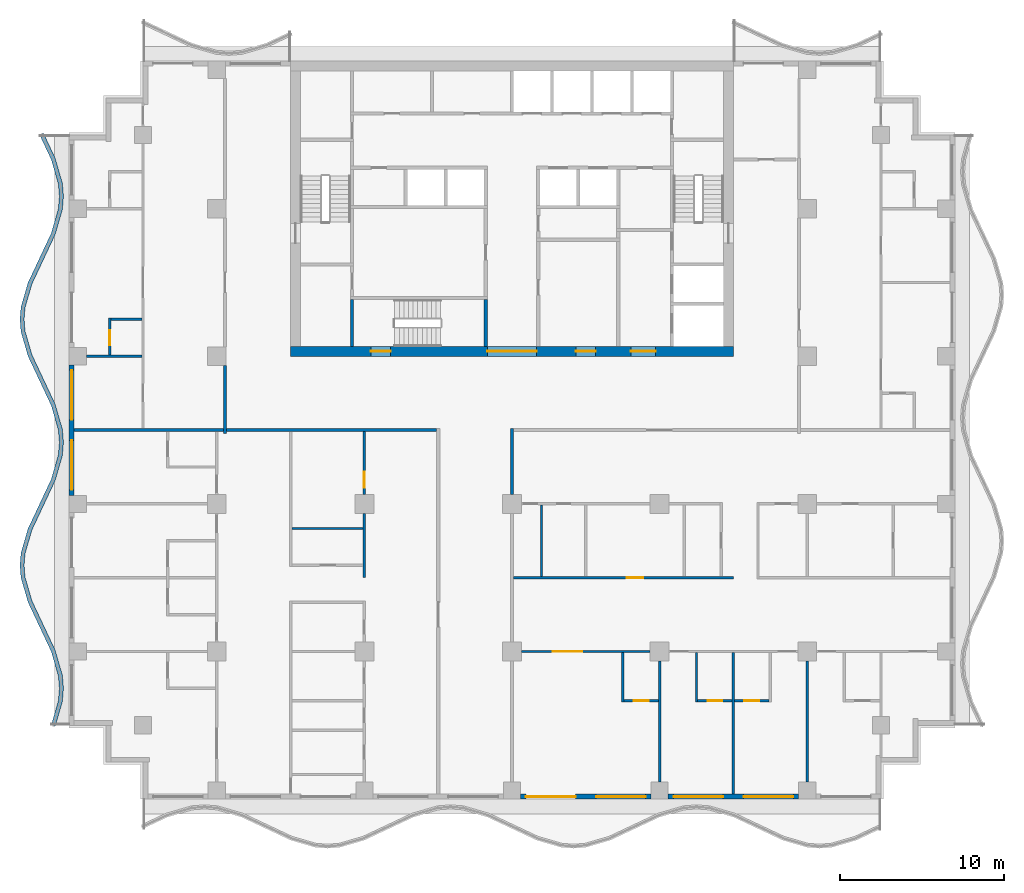
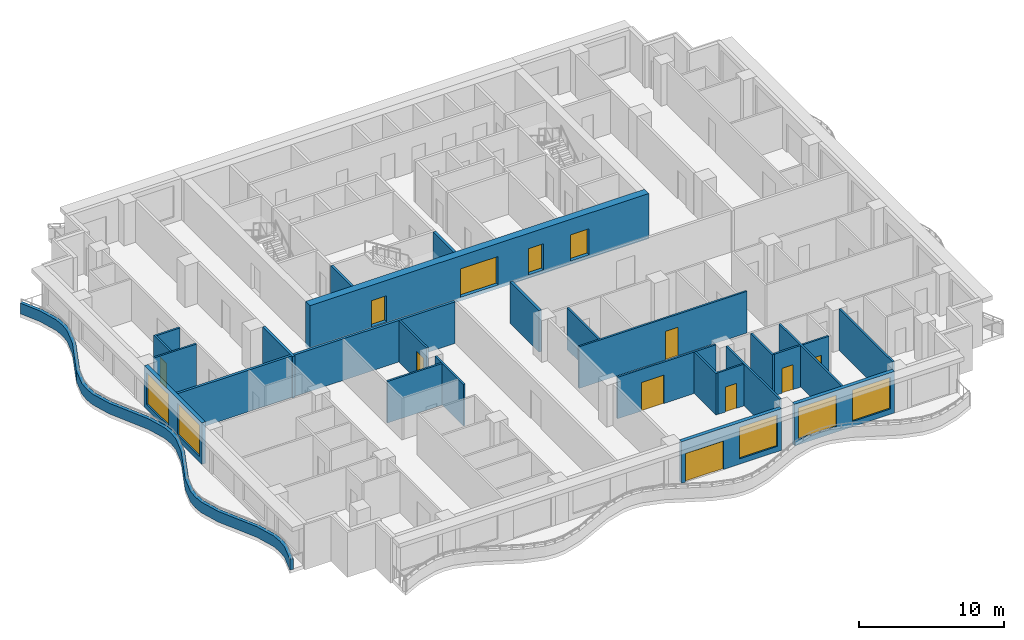
# One storey, part 3 of 11: 28 walls, 12 doors, 5 windows, 17 openings.
"""IFC4 building model written with IfcOpenShell, lengths in metres."""

from ifc_helpers import new_model, si_unit, direction, frame, frame_2d, origin, place, context, subcontext, project, spatial, polyline, rectangle, outline, extrude, material, layer, layer_set, type_object, element, fill, save


model = new_model("IFC4")

# Units and contexts
model_context = context("Model", 3, precision=1e-05, world=origin(), true_north=direction((0.0, 1.0)))
body_context = subcontext(model_context, "Body", "Model", "MODEL_VIEW")
ifc_project = project(units=[si_unit("LENGTHUNIT", "METRE"), si_unit("AREAUNIT", "SQUARE_METRE"), si_unit("VOLUMEUNIT", "CUBIC_METRE"), si_unit("PLANEANGLEUNIT", "RADIAN"), si_unit("MASSUNIT", "GRAM", prefix="KILO")], contexts=[model_context])

# Site, building, storey
site_placement = place(None, origin())
site = spatial("IfcSite", under=ifc_project, at=site_placement, CompositionType="ELEMENT")
building_placement = place(site_placement, origin())
building = spatial("IfcBuilding", under=site, at=building_placement, Name="Orbiselva Terraces", CompositionType="ELEMENT")
storey_placement = place(building_placement, frame((0.0, 0.0, 195.8)))
storey = spatial("IfcBuildingStorey", under=building, at=storey_placement, Name="L49", CompositionType="ELEMENT", Elevation=195.8)

# Wall, openings, doors
ifc_material_1 = material(Name="Concrete C80/95", Category="concrete")
ifc_layer_1 = layer(ifc_material_1, 0.6)
ifc_layer_set_1 = layer_set([ifc_layer_1], Name="Concrete C80/95")
wall_type_1 = type_object("IfcWallType", Name="CORE WALL 600", PredefinedType="SHEAR", material=ifc_layer_set_1)
wall_1_placement = place(storey_placement, frame((-13.5, 4.8, -0.3), z_axis=(0.0, 0.0, 1.0), x_axis=(1.0, 0.0, 0.0)))
wall_1 = element("IfcWall", 1, at=wall_1_placement, inside=storey, type_object=wall_type_1, Name="Core wall L49 south", PredefinedType="SHEAR", context=body_context, shape_type="SweptSolid", body=[
    extrude(rectangle(XDim=27.0, YDim=0.6, at=frame_2d((13.5, 0.0))), origin(), (0.0, 0.0, 1.0), 3.8),
])
opening_1_placement = place(wall_1_placement, frame((12.0, 0.0, 0.3)))
opening_1 = element("IfcOpeningElement", 2, at=opening_1_placement, cuts=wall_1, Name="Opening DL3000", PredefinedType="OPENING", context=body_context, shape_type="SweptSolid", body=[
    extrude(rectangle(XDim=3.0, YDim=2.4, at=frame_2d((1.5, 1.2))), frame((0.0, 0.31, 0.0), z_axis=(0.0, -1.0, 0.0), x_axis=(1.0, 0.0, 0.0)), (0.0, 0.0, 1.0), 0.62),
])
opening_2_placement = place(wall_1_placement, frame((4.9, 0.0, 0.3)))
opening_2 = element("IfcOpeningElement", 3, at=opening_2_placement, cuts=wall_1, Name="Opening DS1200", PredefinedType="OPENING", context=body_context, shape_type="SweptSolid", body=[
    extrude(rectangle(XDim=1.2, YDim=2.2, at=frame_2d((0.6, 1.1))), frame((0.0, 0.31, 0.0), z_axis=(0.0, -1.0, 0.0), x_axis=(1.0, 0.0, 0.0)), (0.0, 0.0, 1.0), 0.62),
])
opening_3_placement = place(wall_1_placement, frame((20.75, 0.0, 0.3)))
opening_3 = element("IfcOpeningElement", 4, at=opening_3_placement, cuts=wall_1, Name="Opening DF1500", PredefinedType="OPENING", context=body_context, shape_type="SweptSolid", body=[
    extrude(rectangle(XDim=1.5, YDim=2.2, at=frame_2d((0.75, 1.1))), frame((0.0, 0.31, 0.0), z_axis=(0.0, -1.0, 0.0), x_axis=(1.0, 0.0, 0.0)), (0.0, 0.0, 1.0), 0.62),
])
opening_4_placement = place(wall_1_placement, frame((17.4, 0.0, 0.3)))
opening_4 = element("IfcOpeningElement", 5, at=opening_4_placement, cuts=wall_1, Name="Opening DV1200", PredefinedType="OPENING", context=body_context, shape_type="SweptSolid", body=[
    extrude(rectangle(XDim=1.2, YDim=2.2, at=frame_2d((0.6, 1.1))), frame((0.0, 0.31, 0.0), z_axis=(0.0, -1.0, 0.0), x_axis=(1.0, 0.0, 0.0)), (0.0, 0.0, 1.0), 0.62),
])
ifc_material_2 = material(Name="Steel fire door", Category="steel")
door_type_1 = type_object("IfcDoorType", Name="FFL DOOR 1500", OperationType="DOUBLE_DOOR_SINGLE_SWING", PredefinedType="DOOR", material=ifc_material_2)
door_1_placement = place(opening_3_placement, frame((1.5, 0.0, 0.0), z_axis=(0.0, 0.0, 1.0), x_axis=(-1.0, 0.0, 0.0)))
door_1 = element("IfcDoor", 6, at=door_1_placement, inside=storey, type_object=door_type_1, Name="L49 FIRE-FIGHTING LOBBY door", OperationType="DOUBLE_DOOR_SINGLE_SWING", OverallHeight=2.2, OverallWidth=1.5, PredefinedType="DOOR", context=body_context, shape_type="SweptSolid", body=[
    extrude(rectangle(XDim=1.5, YDim=2.2, at=frame_2d((0.75, 1.1))), frame((0.0, 0.025, 0.0), z_axis=(0.0, -1.0, 0.0), x_axis=(1.0, 0.0, 0.0)), (0.0, 0.0, 1.0), 0.05),
])
fill(opening_3, door_1)
door_type_2 = type_object("IfcDoorType", Name="LOBBY DOOR 3000", OperationType="DOUBLE_DOOR_SINGLE_SWING", PredefinedType="DOOR", material=ifc_material_2)
door_2_placement = place(opening_1_placement, frame((3.0, 0.0, 0.0), z_axis=(0.0, 0.0, 1.0), x_axis=(-1.0, 0.0, 0.0)))
door_2 = element("IfcDoor", 7, at=door_2_placement, inside=storey, type_object=door_type_2, Name="L49 LIFT LOBBY door", OperationType="DOUBLE_DOOR_SINGLE_SWING", OverallHeight=2.4, OverallWidth=3.0, PredefinedType="DOOR", context=body_context, shape_type="SweptSolid", body=[
    extrude(rectangle(XDim=3.0, YDim=2.4, at=frame_2d((1.5, 1.2))), frame((0.0, 0.025, 0.0), z_axis=(0.0, -1.0, 0.0), x_axis=(1.0, 0.0, 0.0)), (0.0, 0.0, 1.0), 0.05),
])
fill(opening_1, door_2)
door_type_3 = type_object("IfcDoorType", Name="SERVICE DOOR 1200", OperationType="NOTDEFINED", PredefinedType="DOOR", material=ifc_material_2)
door_3_placement = place(opening_4_placement, frame((1.2, 0.0, 0.0), z_axis=(0.0, 0.0, 1.0), x_axis=(-1.0, 0.0, 0.0)))
door_3 = element("IfcDoor", 8, at=door_3_placement, inside=storey, type_object=door_type_3, Name="L49 SERVICE ROOM door", OperationType="SINGLE_SWING_RIGHT", OverallHeight=2.2, OverallWidth=1.2, PredefinedType="DOOR", context=body_context, shape_type="SweptSolid", body=[
    extrude(rectangle(XDim=1.2, YDim=2.2, at=frame_2d((0.6, 1.1))), frame((0.0, 0.025, 0.0), z_axis=(0.0, -1.0, 0.0), x_axis=(1.0, 0.0, 0.0)), (0.0, 0.0, 1.0), 0.05),
])
fill(opening_4, door_3)
door_type_4 = type_object("IfcDoorType", Name="STAIR DOOR 1200", OperationType="NOTDEFINED", PredefinedType="DOOR", material=ifc_material_2)
door_4_placement = place(opening_2_placement, frame((1.2, 0.0, 0.0), z_axis=(0.0, 0.0, 1.0), x_axis=(-1.0, 0.0, 0.0)))
door_4 = element("IfcDoor", 9, at=door_4_placement, inside=storey, type_object=door_type_4, Name="L49 EXIT STAIR S3 door", OperationType="SINGLE_SWING_LEFT", OverallHeight=2.2, OverallWidth=1.2, PredefinedType="DOOR", context=body_context, shape_type="SweptSolid", body=[
    extrude(rectangle(XDim=1.2, YDim=2.2, at=frame_2d((0.6, 1.1))), frame((0.0, 0.025, 0.0), z_axis=(0.0, -1.0, 0.0), x_axis=(1.0, 0.0, 0.0)), (0.0, 0.0, 1.0), 0.05),
])
fill(opening_2, door_4)

# Walls
ifc_material_3 = material(Name="Concrete C60/75", Category="concrete")
ifc_layer_2 = layer(ifc_material_3, 0.2)
ifc_layer_set_2 = layer_set([ifc_layer_2], Name="Concrete C60/75")
wall_type_2 = type_object("IfcWallType", Name="CORE-WALL-SHEAR-200", PredefinedType="SHEAR", material=ifc_layer_set_2)
for number, where, z_axis, x_axis, name in (
    (10, (-9.75, 5.1, 0.0), (0.0, 0.0, 1.0), (0.0, 1.0, 0.0), "L49 core wall 03"),
    (11, (-1.6, 5.1, 0.0), (0.0, 0.0, 1.0), (0.0, 1.0, 0.0), "L49 core wall 17"),
):
    element("IfcWall", number, at=place(storey_placement, frame(where, z_axis=z_axis, x_axis=x_axis)), inside=storey, type_object=wall_type_2, Name=name, PredefinedType="SHEAR", context=body_context, shape_type="SweptSolid", body=[
        extrude(rectangle(XDim=2.85, YDim=0.2, at=frame_2d((1.425, 0.0))), origin(), (0.0, 0.0, 1.0), 3.5),
    ])
ifc_material_4 = material(Name="Concrete C40/50", Category="concrete")
ifc_layer_3 = layer(ifc_material_4, 0.25)
ifc_layer_set_3 = layer_set([ifc_layer_3], Name="Concrete C40/50")
wall_type_3 = type_object("IfcWallType", Name="ENV-PLANTER-250x900", PredefinedType="USERDEFINED", material=ifc_layer_set_3)
wall_2_placement = place(storey_placement, origin())
element("IfcWall", 12, at=wall_2_placement, inside=storey, type_object=wall_type_3, Name="Balcony planter L49 W", ObjectType="PLANTER", PredefinedType="USERDEFINED", context=body_context, shape_type="SweptSolid", body=[
    extrude(outline(polyline([(-28.8, 18.0), (-28.094658, 16.5), (-27.658732, 15.0), (-27.6, 14.25), (-27.658732, 13.5), (-28.094658, 12.0), (-28.8, 10.5), (-29.505342, 9.0), (-29.941268, 7.5), (-30.0, 6.75), (-29.941268, 6.0), (-29.505342, 4.5), (-28.8, 3.0), (-28.094658, 1.5), (-27.658732, 0.0), (-27.6, -0.75), (-27.658732, -1.5), (-28.094658, -3.0), (-28.8, -4.5), (-29.505342, -6.0), (-29.941268, -7.5), (-30.0, -8.25), (-29.941268, -9.0), (-29.505342, -10.5), (-28.8, -12.0), (-28.094658, -13.5), (-27.658732, -15.0), (-27.6, -15.75), (-27.658732, -16.5), (-28.094658, -18.0), (-27.85459, -18.069768), (-27.411499, -16.545114), (-27.349235, -15.75), (-27.411499, -14.954886), (-27.860069, -13.411382), (-28.573764, -11.893617), (-29.270753, -10.411382), (-29.694035, -8.954886), (-29.749235, -8.25), (-29.694035, -7.545114), (-29.270753, -6.088618), (-28.573764, -4.606383), (-27.860069, -3.088618), (-27.411499, -1.545114), (-27.349235, -0.75), (-27.411499, 0.045114), (-27.860069, 1.588618), (-28.573764, 3.106383), (-29.270753, 4.588618), (-29.694035, 6.045114), (-29.749235, 6.75), (-29.694035, 7.454886), (-29.270753, 8.911382), (-28.573764, 10.393617), (-27.860069, 11.911382), (-27.411499, 13.454886), (-27.349235, 14.25), (-27.411499, 15.045114), (-27.860069, 16.588618), (-28.573764, 18.106383), (-28.8, 18.0)])), origin(), (0.0, 0.0, 1.0), 0.9),
])

# Wall, openings, door, window
ifc_material_5 = material(Name="Terracotta cladding on masonry backing", Category="masonry")
ifc_layer_4 = layer(ifc_material_5, 0.3)
ifc_layer_set_4 = layer_set([ifc_layer_4], Name="Terracotta cladding on masonry backing")
wall_type_4 = type_object("IfcWallType", Name="ENV-WALL-TERRACOTTA-300", PredefinedType="SOLIDWALL", material=ifc_layer_set_4)
wall_3_placement = place(storey_placement, frame((8.475, -22.35, 0.0), z_axis=(0.0, 0.0, 1.0), x_axis=(-1.0, 0.0, 0.0)))
wall_3 = element("IfcWall", 13, at=wall_3_placement, inside=storey, type_object=wall_type_4, Name="Facade wall L49 S", PredefinedType="SOLIDWALL", context=body_context, shape_type="SweptSolid", body=[
    extrude(rectangle(XDim=7.95, YDim=0.3, at=frame_2d((3.975, 0.0))), origin(), (0.0, 0.0, 1.0), 3.5),
])
opening_5_placement = place(wall_3_placement, frame((4.6, 0.0, 0.0)))
opening_5 = element("IfcOpeningElement", 14, at=opening_5_placement, cuts=wall_3, Name="Opening Z4-B-E02", PredefinedType="OPENING", context=body_context, shape_type="SweptSolid", body=[
    extrude(rectangle(XDim=3.025, YDim=2.4, at=frame_2d((1.5125, 1.2))), frame((0.0, 0.16, 0.0), z_axis=(0.0, -1.0, 0.0), x_axis=(1.0, 0.0, 0.0)), (0.0, 0.0, 1.0), 0.32),
])
opening_6_placement = place(wall_3_placement, frame((0.325, 0.0, 0.45)))
opening_6 = element("IfcOpeningElement", 15, at=opening_6_placement, cuts=wall_3, Name="Opening WN14", PredefinedType="OPENING", context=body_context, shape_type="SweptSolid", body=[
    extrude(rectangle(XDim=3.025, YDim=2.65, at=frame_2d((1.5125, 1.325))), frame((0.0, 0.16, 0.0), z_axis=(0.0, -1.0, 0.0), x_axis=(1.0, 0.0, 0.0)), (0.0, 0.0, 1.0), 0.32),
])
ifc_material_6 = material(Name="Clear low-e glazing in aluminium frame", Category="aluminium")
door_type_5 = type_object("IfcDoorType", Name="BALCONY DOOR 3025 X 2400", OperationType="DOUBLE_DOOR_SLIDING", PredefinedType="DOOR", material=ifc_material_6)
door_5_placement = place(opening_5_placement, origin())
door_5 = element("IfcDoor", 16, at=door_5_placement, inside=storey, type_object=door_type_5, Name="Z4-B-E02", OperationType="SINGLE_SWING_LEFT", OverallHeight=2.4, OverallWidth=3.025, PredefinedType="DOOR", context=body_context, shape_type="SweptSolid", body=[
    extrude(rectangle(XDim=3.025, YDim=2.4, at=frame_2d((1.5125, 1.2))), frame((0.0, 0.025, 0.0), z_axis=(0.0, -1.0, 0.0), x_axis=(1.0, 0.0, 0.0)), (0.0, 0.0, 1.0), 0.05),
])
fill(opening_5, door_5)
window_type = type_object("IfcWindowType", Name="WINDOW 3025 X 2650 S450", PartitioningType="TRIPLE_PANEL_VERTICAL", PredefinedType="WINDOW", material=ifc_material_6)
window_1_placement = place(opening_6_placement, origin())
window_1 = element("IfcWindow", 17, at=window_1_placement, inside=storey, type_object=window_type, Name="Window L49 S", OverallHeight=2.65, OverallWidth=3.025, PartitioningType="SINGLE_PANEL", PredefinedType="WINDOW", context=body_context, shape_type="SweptSolid", body=[
    extrude(rectangle(XDim=3.025, YDim=2.65, at=frame_2d((1.5125, 1.325))), frame((0.0, 0.03, 0.0), z_axis=(0.0, -1.0, 0.0), x_axis=(1.0, 0.0, 0.0)), (0.0, 0.0, 1.0), 0.06),
])
fill(opening_6, window_1)

# Wall, openings, windows
wall_4_placement = place(storey_placement, frame((17.475, -22.35, 0.0), z_axis=(0.0, 0.0, 1.0), x_axis=(-1.0, 0.0, 0.0)))
wall_4 = element("IfcWall", 18, at=wall_4_placement, inside=storey, type_object=wall_type_4, Name="Facade wall L49 S", PredefinedType="SOLIDWALL", context=body_context, shape_type="SweptSolid", body=[
    extrude(rectangle(XDim=7.95, YDim=0.3, at=frame_2d((3.975, 0.0))), origin(), (0.0, 0.0, 1.0), 3.5),
])
opening_7_placement = place(wall_4_placement, frame((4.6, 0.0, 0.45)))
opening_7 = element("IfcOpeningElement", 19, at=opening_7_placement, cuts=wall_4, Name="Opening WN14", PredefinedType="OPENING", context=body_context, shape_type="SweptSolid", body=[
    extrude(rectangle(XDim=3.025, YDim=2.65, at=frame_2d((1.5125, 1.325))), frame((0.0, 0.16, 0.0), z_axis=(0.0, -1.0, 0.0), x_axis=(1.0, 0.0, 0.0)), (0.0, 0.0, 1.0), 0.32),
])
opening_8_placement = place(wall_4_placement, frame((0.325, 0.0, 0.45)))
opening_8 = element("IfcOpeningElement", 20, at=opening_8_placement, cuts=wall_4, Name="Opening WN14", PredefinedType="OPENING", context=body_context, shape_type="SweptSolid", body=[
    extrude(rectangle(XDim=3.025, YDim=2.65, at=frame_2d((1.5125, 1.325))), frame((0.0, 0.16, 0.0), z_axis=(0.0, -1.0, 0.0), x_axis=(1.0, 0.0, 0.0)), (0.0, 0.0, 1.0), 0.32),
])
window_2_placement = place(opening_7_placement, origin())
window_2 = element("IfcWindow", 21, at=window_2_placement, inside=storey, type_object=window_type, Name="Window L49 S", OverallHeight=2.65, OverallWidth=3.025, PartitioningType="SINGLE_PANEL", PredefinedType="WINDOW", context=body_context, shape_type="SweptSolid", body=[
    extrude(rectangle(XDim=3.025, YDim=2.65, at=frame_2d((1.5125, 1.325))), frame((0.0, 0.03, 0.0), z_axis=(0.0, -1.0, 0.0), x_axis=(1.0, 0.0, 0.0)), (0.0, 0.0, 1.0), 0.06),
])
fill(opening_7, window_2)
window_3_placement = place(opening_8_placement, origin())
window_3 = element("IfcWindow", 22, at=window_3_placement, inside=storey, type_object=window_type, Name="Window L49 S", OverallHeight=2.65, OverallWidth=3.025, PartitioningType="SINGLE_PANEL", PredefinedType="WINDOW", context=body_context, shape_type="SweptSolid", body=[
    extrude(rectangle(XDim=3.025, YDim=2.65, at=frame_2d((1.5125, 1.325))), frame((0.0, 0.03, 0.0), z_axis=(0.0, -1.0, 0.0), x_axis=(1.0, 0.0, 0.0)), (0.0, 0.0, 1.0), 0.06),
])
fill(opening_8, window_3)

wall_5_placement = place(storey_placement, frame((-26.85, -3.975, 0.0), z_axis=(0.0, 0.0, 1.0), x_axis=(0.0, 1.0, 0.0)))
wall_5 = element("IfcWall", 23, at=wall_5_placement, inside=storey, type_object=wall_type_4, Name="Facade wall L49 W", PredefinedType="SOLIDWALL", context=body_context, shape_type="SweptSolid", body=[
    extrude(rectangle(XDim=7.95, YDim=0.3, at=frame_2d((3.975, 0.0))), origin(), (0.0, 0.0, 1.0), 3.5),
])
opening_9_placement = place(wall_5_placement, frame((4.6, 0.0, 0.45)))
opening_9 = element("IfcOpeningElement", 24, at=opening_9_placement, cuts=wall_5, Name="Opening WN14", PredefinedType="OPENING", context=body_context, shape_type="SweptSolid", body=[
    extrude(rectangle(XDim=3.025, YDim=2.65, at=frame_2d((1.5125, 1.325))), frame((0.0, 0.16, 0.0), z_axis=(0.0, -1.0, 0.0), x_axis=(1.0, 0.0, 0.0)), (0.0, 0.0, 1.0), 0.32),
])
opening_10_placement = place(wall_5_placement, frame((0.325, 0.0, 0.45)))
opening_10 = element("IfcOpeningElement", 25, at=opening_10_placement, cuts=wall_5, Name="Opening WN14", PredefinedType="OPENING", context=body_context, shape_type="SweptSolid", body=[
    extrude(rectangle(XDim=3.025, YDim=2.65, at=frame_2d((1.5125, 1.325))), frame((0.0, 0.16, 0.0), z_axis=(0.0, -1.0, 0.0), x_axis=(1.0, 0.0, 0.0)), (0.0, 0.0, 1.0), 0.32),
])
window_4_placement = place(opening_9_placement, origin())
window_4 = element("IfcWindow", 26, at=window_4_placement, inside=storey, type_object=window_type, Name="Window L49 W", OverallHeight=2.65, OverallWidth=3.025, PartitioningType="SINGLE_PANEL", PredefinedType="WINDOW", context=body_context, shape_type="SweptSolid", body=[
    extrude(rectangle(XDim=3.025, YDim=2.65, at=frame_2d((1.5125, 1.325))), frame((0.0, 0.03, 0.0), z_axis=(0.0, -1.0, 0.0), x_axis=(1.0, 0.0, 0.0)), (0.0, 0.0, 1.0), 0.06),
])
fill(opening_9, window_4)
window_5_placement = place(opening_10_placement, origin())
window_5 = element("IfcWindow", 27, at=window_5_placement, inside=storey, type_object=window_type, Name="Window L49 W", OverallHeight=2.65, OverallWidth=3.025, PartitioningType="SINGLE_PANEL", PredefinedType="WINDOW", context=body_context, shape_type="SweptSolid", body=[
    extrude(rectangle(XDim=3.025, YDim=2.65, at=frame_2d((1.5125, 1.325))), frame((0.0, 0.03, 0.0), z_axis=(0.0, -1.0, 0.0), x_axis=(1.0, 0.0, 0.0)), (0.0, 0.0, 1.0), 0.06),
])
fill(opening_10, window_5)

# Walls
ifc_material_7 = material(Name="Plasterboard on steel stud partition", Category="steel")
ifc_layer_5 = layer(ifc_material_7, 0.2)
ifc_layer_set_5 = layer_set([ifc_layer_5], Name="Plasterboard on steel stud partition")
wall_type_5 = type_object("IfcWallType", Name="UNIT-ENTRANCE-WALL-200", PredefinedType="PARTITIONING", material=ifc_layer_set_5)
wall_6_placement = place(storey_placement, frame((-17.4, 0.0, 0.0), z_axis=(0.0, 0.0, 1.0), x_axis=(1.0, 0.0, 0.0)))
element("IfcWall", 28, at=wall_6_placement, inside=storey, type_object=wall_type_5, Name="PARTITION L49-029", PredefinedType="PARTITIONING", context=body_context, shape_type="SweptSolid", body=[
    extrude(rectangle(XDim=12.8, YDim=0.2, at=frame_2d((6.4, 0.0))), origin(), (0.0, 0.0, 1.0), 3.5),
])
wall_7_placement = place(storey_placement, frame((-17.5, -0.2, 0.0), z_axis=(0.0, 0.0, 1.0), x_axis=(0.0, 1.0, 0.0)))
element("IfcWall", 29, at=wall_7_placement, inside=storey, type_object=wall_type_5, Name="PARTITION L49-052", PredefinedType="PARTITIONING", context=body_context, shape_type="SweptSolid", body=[
    extrude(rectangle(XDim=4.125, YDim=0.2, at=frame_2d((2.0625, 0.0))), origin(), (0.0, 0.0, 1.0), 3.5),
])
wall_8_placement = place(storey_placement, frame((0.0, -3.925, 0.0), z_axis=(0.0, 0.0, 1.0), x_axis=(0.0, 1.0, 0.0)))
element("IfcWall", 30, at=wall_8_placement, inside=storey, type_object=wall_type_5, Name="PARTITION L49-064", PredefinedType="PARTITIONING", context=body_context, shape_type="SweptSolid", body=[
    extrude(rectangle(XDim=4.025, YDim=0.2, at=frame_2d((2.0125, 0.0))), origin(), (0.0, 0.0, 1.0), 3.5),
])

# Wall, opening, door
ifc_layer_6 = layer(ifc_material_7, 0.15)
ifc_layer_set_6 = layer_set([ifc_layer_6], Name="Plasterboard on steel stud partition")
wall_type_6 = type_object("IfcWallType", Name="UNIT-PARTITION-150", PredefinedType="PARTITIONING", material=ifc_layer_set_6)
wall_9_placement = place(storey_placement, frame((6.825, -16.5, 0.0), z_axis=(0.0, 0.0, 1.0), x_axis=(1.0, 0.0, 0.0)))
wall_9 = element("IfcWall", 31, at=wall_9_placement, inside=storey, type_object=wall_type_6, Name="PARTITION L49-004", PredefinedType="PARTITIONING", context=body_context, shape_type="SweptSolid", body=[
    extrude(rectangle(XDim=2.1, YDim=0.15, at=frame_2d((1.05, 0.0))), origin(), (0.0, 0.0, 1.0), 3.5),
])
opening_11_placement = place(wall_9_placement, frame((0.6, 0.0, 0.0)))
opening_11 = element("IfcOpeningElement", 32, at=opening_11_placement, cuts=wall_9, Name="Opening Z4-B-39", PredefinedType="OPENING", context=body_context, shape_type="SweptSolid", body=[
    extrude(rectangle(XDim=0.9, YDim=2.1, at=frame_2d((0.45, 1.05))), frame((0.0, 0.085, 0.0), z_axis=(0.0, -1.0, 0.0), x_axis=(1.0, 0.0, 0.0)), (0.0, 0.0, 1.0), 0.17),
])
ifc_material_8 = material(Name="Painted timber door leaf", Category="wood")
door_type_6 = type_object("IfcDoorType", Name="BATH DOOR 900", OperationType="NOTDEFINED", PredefinedType="DOOR", material=ifc_material_8)
door_6_placement = place(opening_11_placement, origin())
door_6 = element("IfcDoor", 33, at=door_6_placement, inside=storey, type_object=door_type_6, Name="Z4-B-39", OperationType="SINGLE_SWING_LEFT", OverallHeight=2.1, OverallWidth=0.9, PredefinedType="DOOR", context=body_context, shape_type="SweptSolid", body=[
    extrude(rectangle(XDim=0.9, YDim=2.1, at=frame_2d((0.45, 1.05))), frame((0.0, 0.025, 0.0), z_axis=(0.0, -1.0, 0.0), x_axis=(1.0, 0.0, 0.0)), (0.0, 0.0, 1.0), 0.05),
])
fill(opening_11, door_6)

wall_10_placement = place(storey_placement, frame((11.325, -16.5, 0.0), z_axis=(0.0, 0.0, 1.0), x_axis=(1.0, 0.0, 0.0)))
wall_10 = element("IfcWall", 34, at=wall_10_placement, inside=storey, type_object=wall_type_6, Name="PARTITION L49-005", PredefinedType="PARTITIONING", context=body_context, shape_type="SweptSolid", body=[
    extrude(rectangle(XDim=2.1, YDim=0.15, at=frame_2d((1.05, 0.0))), origin(), (0.0, 0.0, 1.0), 3.5),
])
opening_12_placement = place(wall_10_placement, frame((0.6, 0.0, 0.0)))
opening_12 = element("IfcOpeningElement", 35, at=opening_12_placement, cuts=wall_10, Name="Opening Z4-B-41", PredefinedType="OPENING", context=body_context, shape_type="SweptSolid", body=[
    extrude(rectangle(XDim=0.9, YDim=2.1, at=frame_2d((0.45, 1.05))), frame((0.0, 0.085, 0.0), z_axis=(0.0, -1.0, 0.0), x_axis=(1.0, 0.0, 0.0)), (0.0, 0.0, 1.0), 0.17),
])
door_7_placement = place(opening_12_placement, origin())
door_7 = element("IfcDoor", 36, at=door_7_placement, inside=storey, type_object=door_type_6, Name="Z4-B-41", OperationType="SINGLE_SWING_LEFT", OverallHeight=2.1, OverallWidth=0.9, PredefinedType="DOOR", context=body_context, shape_type="SweptSolid", body=[
    extrude(rectangle(XDim=0.9, YDim=2.1, at=frame_2d((0.45, 1.05))), frame((0.0, 0.025, 0.0), z_axis=(0.0, -1.0, 0.0), x_axis=(1.0, 0.0, 0.0)), (0.0, 0.0, 1.0), 0.05),
])
fill(opening_12, door_7)

wall_11_placement = place(storey_placement, frame((13.575, -16.5, 0.0), z_axis=(0.0, 0.0, 1.0), x_axis=(1.0, 0.0, 0.0)))
wall_11 = element("IfcWall", 37, at=wall_11_placement, inside=storey, type_object=wall_type_6, Name="PARTITION L49-006", PredefinedType="PARTITIONING", context=body_context, shape_type="SweptSolid", body=[
    extrude(rectangle(XDim=2.1, YDim=0.15, at=frame_2d((1.05, 0.0))), origin(), (0.0, 0.0, 1.0), 3.5),
])
opening_13_placement = place(wall_11_placement, frame((0.6, 0.0, 0.0)))
opening_13 = element("IfcOpeningElement", 38, at=opening_13_placement, cuts=wall_11, Name="Opening Z4-B-43", PredefinedType="OPENING", context=body_context, shape_type="SweptSolid", body=[
    extrude(rectangle(XDim=0.9, YDim=2.1, at=frame_2d((0.45, 1.05))), frame((0.0, 0.085, 0.0), z_axis=(0.0, -1.0, 0.0), x_axis=(1.0, 0.0, 0.0)), (0.0, 0.0, 1.0), 0.17),
])
door_8_placement = place(opening_13_placement, origin())
door_8 = element("IfcDoor", 39, at=door_8_placement, inside=storey, type_object=door_type_6, Name="Z4-B-43", OperationType="SINGLE_SWING_LEFT", OverallHeight=2.1, OverallWidth=0.9, PredefinedType="DOOR", context=body_context, shape_type="SweptSolid", body=[
    extrude(rectangle(XDim=0.9, YDim=2.1, at=frame_2d((0.45, 1.05))), frame((0.0, 0.025, 0.0), z_axis=(0.0, -1.0, 0.0), x_axis=(1.0, 0.0, 0.0)), (0.0, 0.0, 1.0), 0.05),
])
fill(opening_13, door_8)

wall_12_placement = place(storey_placement, frame((8.425, -13.5, 0.0), z_axis=(0.0, 0.0, 1.0), x_axis=(-1.0, 0.0, 0.0)))
wall_12 = element("IfcWall", 40, at=wall_12_placement, inside=storey, type_object=wall_type_6, Name="PARTITION L49-011", PredefinedType="PARTITIONING", context=body_context, shape_type="SweptSolid", body=[
    extrude(rectangle(XDim=7.85, YDim=0.15, at=frame_2d((3.925, 0.0))), origin(), (0.0, 0.0, 1.0), 3.5),
])
opening_14_placement = place(wall_12_placement, frame((4.15, 0.0, 0.0)))
opening_14 = element("IfcOpeningElement", 41, at=opening_14_placement, cuts=wall_12, Name="Opening Z4-B-38", PredefinedType="OPENING", context=body_context, shape_type="SweptSolid", body=[
    extrude(rectangle(XDim=1.8, YDim=2.4, at=frame_2d((0.9, 1.2))), frame((0.0, 0.085, 0.0), z_axis=(0.0, -1.0, 0.0), x_axis=(1.0, 0.0, 0.0)), (0.0, 0.0, 1.0), 0.17),
])
door_type_7 = type_object("IfcDoorType", Name="DOUBLE DOOR 1800", OperationType="NOTDEFINED", PredefinedType="DOOR", material=ifc_material_8)
door_9_placement = place(opening_14_placement, origin())
door_9 = element("IfcDoor", 42, at=door_9_placement, inside=storey, type_object=door_type_7, Name="Z4-B-38", OperationType="DOUBLE_DOOR_SINGLE_SWING", OverallHeight=2.4, OverallWidth=1.8, PredefinedType="DOOR", context=body_context, shape_type="SweptSolid", body=[
    extrude(rectangle(XDim=1.8, YDim=2.4, at=frame_2d((0.9, 1.2))), frame((0.0, 0.025, 0.0), z_axis=(0.0, -1.0, 0.0), x_axis=(1.0, 0.0, 0.0)), (0.0, 0.0, 1.0), 0.05),
])
fill(opening_14, door_9)

wall_13_placement = place(storey_placement, frame((0.1, -9.0, 0.0), z_axis=(0.0, 0.0, 1.0), x_axis=(1.0, 0.0, 0.0)))
wall_13 = element("IfcWall", 43, at=wall_13_placement, inside=storey, type_object=wall_type_6, Name="PARTITION L49-018", PredefinedType="PARTITIONING", context=body_context, shape_type="SweptSolid", body=[
    extrude(rectangle(XDim=13.4, YDim=0.15, at=frame_2d((6.7, 0.0))), origin(), (0.0, 0.0, 1.0), 3.5),
])
opening_15_placement = place(wall_13_placement, frame((6.9, 0.0, 0.0)))
opening_15 = element("IfcOpeningElement", 44, at=opening_15_placement, cuts=wall_13, Name="Opening Z4-B-33", PredefinedType="OPENING", context=body_context, shape_type="SweptSolid", body=[
    extrude(rectangle(XDim=1.0, YDim=2.4, at=frame_2d((0.5, 1.2))), frame((0.0, 0.085, 0.0), z_axis=(0.0, -1.0, 0.0), x_axis=(1.0, 0.0, 0.0)), (0.0, 0.0, 1.0), 0.17),
])
door_type_8 = type_object("IfcDoorType", Name="ROOM DOOR 1000", OperationType="NOTDEFINED", PredefinedType="DOOR", material=ifc_material_8)
door_10_placement = place(opening_15_placement, origin())
door_10 = element("IfcDoor", 45, at=door_10_placement, inside=storey, type_object=door_type_8, Name="Z4-B-33", OperationType="SINGLE_SWING_RIGHT", OverallHeight=2.4, OverallWidth=1.0, PredefinedType="DOOR", context=body_context, shape_type="SweptSolid", body=[
    extrude(rectangle(XDim=1.0, YDim=2.4, at=frame_2d((0.5, 1.2))), frame((0.0, 0.025, 0.0), z_axis=(0.0, -1.0, 0.0), x_axis=(1.0, 0.0, 0.0)), (0.0, 0.0, 1.0), 0.05),
])
fill(opening_15, door_10)

# Walls
wall_14_placement = place(storey_placement, frame((-13.425, -6.0, 0.0), z_axis=(0.0, 0.0, 1.0), x_axis=(1.0, 0.0, 0.0)))
element("IfcWall", 46, at=wall_14_placement, inside=storey, type_object=wall_type_6, Name="PARTITION L49-022", PredefinedType="PARTITIONING", context=body_context, shape_type="SweptSolid", body=[
    extrude(rectangle(XDim=4.35, YDim=0.15, at=frame_2d((2.175, 0.0))), origin(), (0.0, 0.0, 1.0), 3.5),
])
wall_15_placement = place(storey_placement, frame((-25.95, 4.5, 0.0), z_axis=(0.0, 0.0, 1.0), x_axis=(1.0, 0.0, 0.0)))
element("IfcWall", 47, at=wall_15_placement, inside=storey, type_object=wall_type_6, Name="PARTITION L49-034", PredefinedType="PARTITIONING", context=body_context, shape_type="SweptSolid", body=[
    extrude(rectangle(XDim=3.375, YDim=0.15, at=frame_2d((1.6875, 0.0))), origin(), (0.0, 0.0, 1.0), 3.5),
])
wall_16_placement = place(storey_placement, frame((-24.45, 6.75, 0.0), z_axis=(0.0, 0.0, 1.0), x_axis=(1.0, 0.0, 0.0)))
element("IfcWall", 48, at=wall_16_placement, inside=storey, type_object=wall_type_6, Name="PARTITION L49-035", PredefinedType="PARTITIONING", context=body_context, shape_type="SweptSolid", body=[
    extrude(rectangle(XDim=1.875, YDim=0.15, at=frame_2d((0.9375, 0.0))), origin(), (0.0, 0.0, 1.0), 3.5),
])

# Wall, opening, door
wall_17_placement = place(storey_placement, frame((-24.525, 6.825, 0.0), z_axis=(0.0, 0.0, 1.0), x_axis=(0.0, -1.0, 0.0)))
wall_17 = element("IfcWall", 49, at=wall_17_placement, inside=storey, type_object=wall_type_6, Name="PARTITION L49-042", PredefinedType="PARTITIONING", context=body_context, shape_type="SweptSolid", body=[
    extrude(rectangle(XDim=2.25, YDim=0.15, at=frame_2d((1.125, 0.0))), origin(), (0.0, 0.0, 1.0), 3.5),
])
opening_16_placement = place(wall_17_placement, frame((0.75, 0.0, 0.0)))
opening_16 = element("IfcOpeningElement", 50, at=opening_16_placement, cuts=wall_17, Name="Opening Z4-B-05", PredefinedType="OPENING", context=body_context, shape_type="SweptSolid", body=[
    extrude(rectangle(XDim=0.9, YDim=2.1, at=frame_2d((0.45, 1.05))), frame((0.0, 0.085, 0.0), z_axis=(0.0, -1.0, 0.0), x_axis=(1.0, 0.0, 0.0)), (0.0, 0.0, 1.0), 0.17),
])
door_11_placement = place(opening_16_placement, origin())
door_11 = element("IfcDoor", 51, at=door_11_placement, inside=storey, type_object=door_type_6, Name="Z4-B-05", OperationType="SINGLE_SWING_RIGHT", OverallHeight=2.1, OverallWidth=0.9, PredefinedType="DOOR", context=body_context, shape_type="SweptSolid", body=[
    extrude(rectangle(XDim=0.9, YDim=2.1, at=frame_2d((0.45, 1.05))), frame((0.0, 0.025, 0.0), z_axis=(0.0, -1.0, 0.0), x_axis=(1.0, 0.0, 0.0)), (0.0, 0.0, 1.0), 0.05),
])
fill(opening_16, door_11)

# Wall
wall_18_placement = place(storey_placement, frame((-9.0, -9.0, 0.0), z_axis=(0.0, 0.0, 1.0), x_axis=(0.0, 1.0, 0.0)))
element("IfcWall", 52, at=wall_18_placement, inside=storey, type_object=wall_type_6, Name="PARTITION L49-059", PredefinedType="PARTITIONING", context=body_context, shape_type="SweptSolid", body=[
    extrude(rectangle(XDim=3.925, YDim=0.15, at=frame_2d((1.9625, 0.0))), origin(), (0.0, 0.0, 1.0), 3.5),
])

# Wall, opening, door
wall_19_placement = place(storey_placement, frame((-9.0, -3.925, 0.0), z_axis=(0.0, 0.0, 1.0), x_axis=(0.0, 1.0, 0.0)))
wall_19 = element("IfcWall", 53, at=wall_19_placement, inside=storey, type_object=wall_type_6, Name="PARTITION L49-060", PredefinedType="PARTITIONING", context=body_context, shape_type="SweptSolid", body=[
    extrude(rectangle(XDim=3.825, YDim=0.15, at=frame_2d((1.9125, 0.0))), origin(), (0.0, 0.0, 1.0), 3.5),
])
opening_17_placement = place(wall_19_placement, frame((0.4, 0.0, 0.0)))
opening_17 = element("IfcOpeningElement", 54, at=opening_17_placement, cuts=wall_19, Name="Opening Z4-B-15", PredefinedType="OPENING", context=body_context, shape_type="SweptSolid", body=[
    extrude(rectangle(XDim=1.0, YDim=2.4, at=frame_2d((0.5, 1.2))), frame((0.0, 0.085, 0.0), z_axis=(0.0, -1.0, 0.0), x_axis=(1.0, 0.0, 0.0)), (0.0, 0.0, 1.0), 0.17),
])
door_12_placement = place(opening_17_placement, origin())
door_12 = element("IfcDoor", 55, at=door_12_placement, inside=storey, type_object=door_type_8, Name="Z4-B-15", OperationType="SINGLE_SWING_LEFT", OverallHeight=2.4, OverallWidth=1.0, PredefinedType="DOOR", context=body_context, shape_type="SweptSolid", body=[
    extrude(rectangle(XDim=1.0, YDim=2.4, at=frame_2d((0.5, 1.2))), frame((0.0, 0.025, 0.0), z_axis=(0.0, -1.0, 0.0), x_axis=(1.0, 0.0, 0.0)), (0.0, 0.0, 1.0), 0.05),
])
fill(opening_17, door_12)

# Walls
wall_20_placement = place(storey_placement, frame((1.8, -8.925, 0.0), z_axis=(0.0, 0.0, 1.0), x_axis=(0.0, 1.0, 0.0)))
element("IfcWall", 56, at=wall_20_placement, inside=storey, type_object=wall_type_6, Name="PARTITION L49-065", PredefinedType="PARTITIONING", context=body_context, shape_type="SweptSolid", body=[
    extrude(rectangle(XDim=4.35, YDim=0.15, at=frame_2d((2.175, 0.0))), origin(), (0.0, 0.0, 1.0), 3.5),
])
wall_21_placement = place(storey_placement, frame((6.75, -16.575, 0.0), z_axis=(0.0, 0.0, 1.0), x_axis=(0.0, 1.0, 0.0)))
element("IfcWall", 57, at=wall_21_placement, inside=storey, type_object=wall_type_6, Name="PARTITION L49-067", PredefinedType="PARTITIONING", context=body_context, shape_type="SweptSolid", body=[
    extrude(rectangle(XDim=3.0, YDim=0.15, at=frame_2d((1.5, 0.0))), origin(), (0.0, 0.0, 1.0), 3.5),
])
wall_22_placement = place(storey_placement, frame((9.0, -21.45, 0.0), z_axis=(0.0, 0.0, 1.0), x_axis=(0.0, 1.0, 0.0)))
element("IfcWall", 58, at=wall_22_placement, inside=storey, type_object=wall_type_6, Name="PARTITION L49-068", PredefinedType="PARTITIONING", context=body_context, shape_type="SweptSolid", body=[
    extrude(rectangle(XDim=7.375, YDim=0.15, at=frame_2d((3.6875, 0.0))), origin(), (0.0, 0.0, 1.0), 3.5),
])
wall_23_placement = place(storey_placement, frame((11.25, -16.575, 0.0), z_axis=(0.0, 0.0, 1.0), x_axis=(0.0, 1.0, 0.0)))
element("IfcWall", 59, at=wall_23_placement, inside=storey, type_object=wall_type_6, Name="PARTITION L49-070", PredefinedType="PARTITIONING", context=body_context, shape_type="SweptSolid", body=[
    extrude(rectangle(XDim=3.0, YDim=0.15, at=frame_2d((1.5, 0.0))), origin(), (0.0, 0.0, 1.0), 3.5),
])
wall_24_placement = place(storey_placement, frame((13.5, -22.2, 0.0), z_axis=(0.0, 0.0, 1.0), x_axis=(0.0, 1.0, 0.0)))
element("IfcWall", 60, at=wall_24_placement, inside=storey, type_object=wall_type_6, Name="PARTITION L49-072", PredefinedType="PARTITIONING", context=body_context, shape_type="SweptSolid", body=[
    extrude(rectangle(XDim=8.625, YDim=0.15, at=frame_2d((4.3125, 0.0))), origin(), (0.0, 0.0, 1.0), 3.5),
])
wall_25_placement = place(storey_placement, frame((18.0, -21.45, 0.0), z_axis=(0.0, 0.0, 1.0), x_axis=(0.0, 1.0, 0.0)))
element("IfcWall", 61, at=wall_25_placement, inside=storey, type_object=wall_type_6, Name="PARTITION L49-079", PredefinedType="PARTITIONING", context=body_context, shape_type="SweptSolid", body=[
    extrude(rectangle(XDim=7.375, YDim=0.15, at=frame_2d((3.6875, 0.0))), origin(), (0.0, 0.0, 1.0), 3.5),
])
ifc_layer_7 = layer(ifc_material_7, 0.2)
ifc_layer_set_7 = layer_set([ifc_layer_7], Name="Plasterboard on steel stud partition")
wall_type_7 = type_object("IfcWallType", Name="UNIT-PARTY-WALL-200", PredefinedType="PARTITIONING", material=ifc_layer_set_7)
wall_26_placement = place(storey_placement, frame((-26.7, 0.0, 0.0), z_axis=(0.0, 0.0, 1.0), x_axis=(1.0, 0.0, 0.0)))
element("IfcWall", 62, at=wall_26_placement, inside=storey, type_object=wall_type_7, Name="PARTITION L49-031", PredefinedType="PARTITIONING", context=body_context, shape_type="SweptSolid", body=[
    extrude(rectangle(XDim=9.1, YDim=0.2, at=frame_2d((4.55, 0.0))), origin(), (0.0, 0.0, 1.0), 3.5),
])

save(model, "model.ifc")
